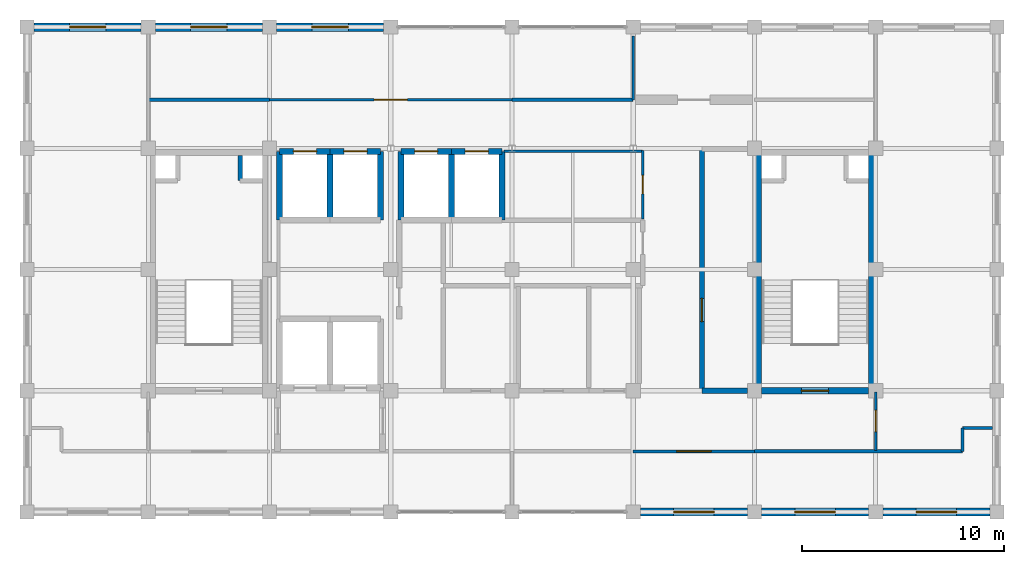
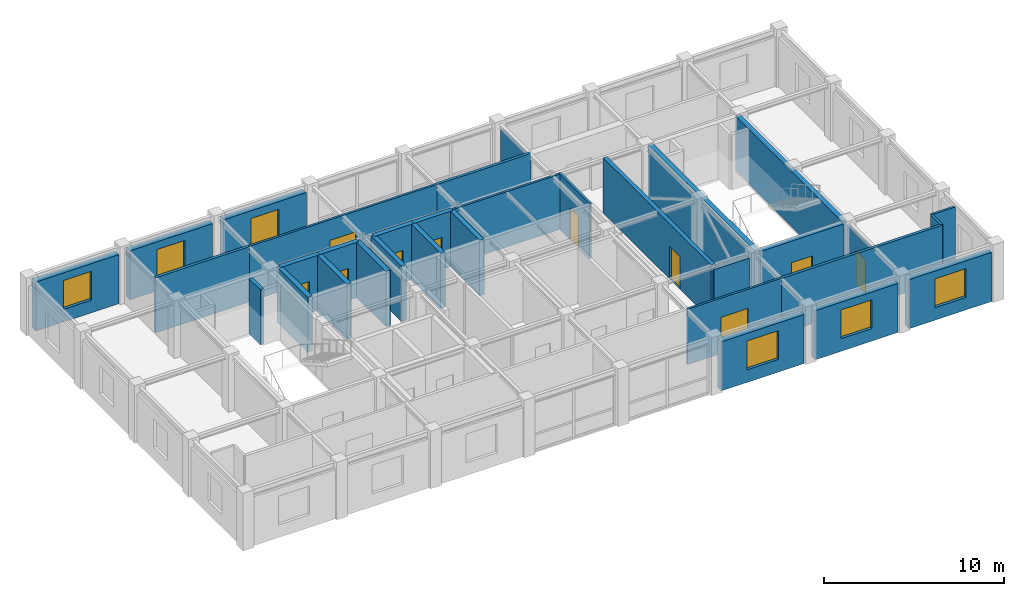
# One storey, part 9 of 11: 33 walls, 10 doors, 6 windows, 16 openings.
"""IFC4 building model written with IfcOpenShell, lengths in metres."""

from ifc_helpers import new_model, si_unit, direction, frame, frame_2d, origin, place, context, subcontext, project, spatial, rectangle, extrude, material, layer, layer_set, type_object, element, fill, save


model = new_model("IFC4")

# Units and contexts
model_context = context("Model", 3, precision=1e-05, world=origin(), true_north=direction((0.0, 1.0)))
body_context = subcontext(model_context, "Body", "Model", "MODEL_VIEW")
ifc_project = project(units=[si_unit("LENGTHUNIT", "METRE"), si_unit("AREAUNIT", "SQUARE_METRE"), si_unit("VOLUMEUNIT", "CUBIC_METRE"), si_unit("PLANEANGLEUNIT", "RADIAN"), si_unit("MASSUNIT", "GRAM", prefix="KILO")], contexts=[model_context])

# Site, building, storey
site_placement = place(None, origin())
site = spatial("IfcSite", under=ifc_project, at=site_placement, CompositionType="ELEMENT")
building_placement = place(site_placement, origin())
building = spatial("IfcBuilding", under=site, at=building_placement, Name="Zlatovratsky Civic Hall", CompositionType="ELEMENT")
storey_placement = place(building_placement, frame((0.0, 0.0, 56.10009765625)))
storey = spatial("IfcBuildingStorey", under=building, at=storey_placement, Name="L14", CompositionType="ELEMENT", Elevation=56.10009765625)

# Walls
ifc_material_1 = material(Name="Acoustic ceramic blockwork", Category="masonry")
ifc_layer_1 = layer(ifc_material_1, 0.179931640625)
ifc_layer_set_1 = layer_set([ifc_layer_1], Name="Acoustic ceramic blockwork")
wall_type_1 = type_object("IfcWallType", Name="Wall_AcousticChamberPartition_180", PredefinedType="PARTITIONING", material=ifc_layer_set_1)
wall_1_placement = place(storey_placement, frame((96.0, 81.0, 0.0), z_axis=(0.0, 0.0, 1.0), x_axis=(1.0, 0.0, 0.0)))
element("IfcWall", 1, at=wall_1_placement, inside=storey, type_object=wall_type_1, Name="WL-6676", PredefinedType="PARTITIONING", context=body_context, shape_type="SweptSolid", body=[
    extrude(rectangle(XDim=10.300048828125, YDim=0.179931640625, at=frame_2d((5.14990234375, 0.0))), origin(), (0.0, 0.0, 1.0), 3.739990234375),
])
for number, where, z_axis, x_axis, name in (
    (2, (66.0, 98.39990234375, 0.0), (0.0, 0.0, 1.0), (1.0, 0.0, 0.0), "WL-6681"),
    (3, (84.0, 98.39990234375, 0.0), (0.0, 0.0, 1.0), (1.0, 0.0, 0.0), "WL-6682"),
):
    element("IfcWall", number, at=place(storey_placement, frame(where, z_axis=z_axis, x_axis=x_axis)), inside=storey, type_object=wall_type_1, Name=name, PredefinedType="PARTITIONING", context=body_context, shape_type="SweptSolid", body=[
        extrude(rectangle(XDim=6.0, YDim=0.179931640625, at=frame_2d((3.0, 0.0))), origin(), (0.0, 0.0, 1.0), 3.739990234375),
    ])

# Wall, opening, door
ifc_layer_2 = layer(ifc_material_1, 0.260009765625)
ifc_layer_set_2 = layer_set([ifc_layer_2], Name="Acoustic ceramic blockwork")
wall_type_2 = type_object("IfcWallType", Name="Wall_ArchiveCompartment_260", PredefinedType="PARTITIONING", material=ifc_layer_set_2)
wall_2_placement = place(storey_placement, frame((93.39990234375, 84.0, 0.0), z_axis=(0.0, 0.0, 1.0), x_axis=(0.0, 1.0, 0.0)))
wall_2 = element("IfcWall", 4, at=wall_2_placement, inside=storey, type_object=wall_type_2, Name="WL-6646", PredefinedType="PARTITIONING", context=body_context, shape_type="SweptSolid", body=[
    extrude(rectangle(XDim=11.9599609375, YDim=0.260009765625, at=frame_2d((5.97998046875, 0.0))), origin(), (0.0, 0.0, 1.0), 3.739990234375),
])
opening_1_placement = place(wall_2_placement, frame((3.425048828125, 0.0, 0.0)))
opening_1 = element("IfcOpeningElement", 5, at=opening_1_placement, cuts=wall_2, Name="Opening D-31", PredefinedType="OPENING", context=body_context, shape_type="SweptSolid", body=[
    extrude(rectangle(XDim=1.14990234375, YDim=2.199951171875, at=frame_2d((0.574951171875, 1.10009765625))), frame((0.0, 0.14501953125, 0.0), z_axis=(0.0, -1.0, 0.0), x_axis=(1.0, 0.0, 0.0)), (0.0, 0.0, 1.0), 0.289794921875),
])
ifc_material_2 = material(Name="Insulated painted fire-rated steel leaf", Category="steel")
door_type_1 = type_object("IfcDoorType", Name="Door_RecordsVault_1150x2200", OperationType="NOTDEFINED", PredefinedType="DOOR", material=ifc_material_2)
door_1_placement = place(opening_1_placement, origin())
door_1 = element("IfcDoor", 6, at=door_1_placement, inside=storey, type_object=door_type_1, Name="DR-5500", OperationType="SINGLE_SWING_LEFT", OverallHeight=2.199951171875, OverallWidth=1.14990234375, PredefinedType="DOOR", context=body_context, shape_type="SweptSolid", body=[
    extrude(rectangle(XDim=1.14990234375, YDim=2.199951171875, at=frame_2d((0.574951171875, 1.10009765625))), frame((0.0, 0.02490234375, 0.0), z_axis=(0.0, -1.0, 0.0), x_axis=(1.0, 0.0, 0.0)), (0.0, 0.0, 1.0), 0.050048828125),
])
fill(opening_1, door_1)

# Wall
wall_3_placement = place(storey_placement, frame((93.39990234375, 84.0, 0.0), z_axis=(0.0, 0.0, 1.0), x_axis=(1.0, 0.0, 0.0)))
element("IfcWall", 7, at=wall_3_placement, inside=storey, type_object=wall_type_2, Name="WL-6647", PredefinedType="PARTITIONING", context=body_context, shape_type="SweptSolid", body=[
    extrude(rectangle(XDim=2.25, YDim=0.260009765625, at=frame_2d((1.125, 0.0))), origin(), (0.0, 0.0, 1.0), 3.448974609375),
])

# Wall, opening, door
ifc_material_3 = material(Name="Fire-rated gypsum board framing", Category="gypsum")
ifc_layer_3 = layer(ifc_material_3, 0.139892578125)
ifc_layer_set_3 = layer_set([ifc_layer_3], Name="Fire-rated gypsum board framing")
wall_type_3 = type_object("IfcWallType", Name="Wall_OfficePartition_140", PredefinedType="PARTITIONING", material=ifc_layer_set_3)
wall_4_placement = place(storey_placement, frame((90.0, 81.0, 0.0), z_axis=(0.0, 0.0, 1.0), x_axis=(1.0, 0.0, 0.0)))
wall_4 = element("IfcWall", 8, at=wall_4_placement, inside=storey, type_object=wall_type_3, Name="WL-6659", PredefinedType="PARTITIONING", context=body_context, shape_type="SweptSolid", body=[
    extrude(rectangle(XDim=6.0, YDim=0.139892578125, at=frame_2d((3.0, 0.0))), origin(), (0.0, 0.0, 1.0), 3.739990234375),
])
opening_2_placement = place(wall_4_placement, frame((2.14990234375, 0.0, 0.0)))
opening_2 = element("IfcOpeningElement", 9, at=opening_2_placement, cuts=wall_4, Name="Opening D-26", PredefinedType="OPENING", context=body_context, shape_type="SweptSolid", body=[
    extrude(rectangle(XDim=1.699951171875, YDim=2.449951171875, at=frame_2d((0.85009765625, 1.22509765625))), frame((0.0, 0.0849609375, 0.0), z_axis=(0.0, -1.0, 0.0), x_axis=(1.0, 0.0, 0.0)), (0.0, 0.0, 1.0), 0.169677734375),
])
ifc_material_4 = material(Name="Solid oak joinery in steel frame", Category="steel")
door_type_2 = type_object("IfcDoorType", Name="Door_CommissionBoardroom_1700x2450", OperationType="DOUBLE_DOOR_SINGLE_SWING", PredefinedType="DOOR", material=ifc_material_4)
door_2_placement = place(opening_2_placement, origin())
door_2 = element("IfcDoor", 10, at=door_2_placement, inside=storey, type_object=door_type_2, Name="DR-5508", OperationType="DOUBLE_DOOR_SINGLE_SWING", OverallHeight=2.449951171875, OverallWidth=1.699951171875, PredefinedType="DOOR", context=body_context, shape_type="SweptSolid", body=[
    extrude(rectangle(XDim=1.699951171875, YDim=2.449951171875, at=frame_2d((0.85009765625, 1.22509765625))), frame((0.0, 0.02490234375, 0.0), z_axis=(0.0, -1.0, 0.0), x_axis=(1.0, 0.0, 0.0)), (0.0, 0.0, 1.0), 0.050048828125),
])
fill(opening_2, door_2)

wall_5_placement = place(storey_placement, frame((102.0, 81.050048828125, 0.0), z_axis=(0.0, 0.0, 1.0), x_axis=(0.0, 1.0, 0.0)))
wall_5 = element("IfcWall", 11, at=wall_5_placement, inside=storey, type_object=wall_type_3, Name="WL-6661", PredefinedType="PARTITIONING", context=body_context, shape_type="SweptSolid", body=[
    extrude(rectangle(XDim=2.89990234375, YDim=0.139892578125, at=frame_2d((1.449951171875, 0.0))), origin(), (0.0, 0.0, 1.0), 3.448974609375),
])
opening_3_placement = place(wall_5_placement, frame((0.925048828125, 0.0, 0.0)))
opening_3 = element("IfcOpeningElement", 12, at=opening_3_placement, cuts=wall_5, Name="Opening D-24", PredefinedType="OPENING", context=body_context, shape_type="SweptSolid", body=[
    extrude(rectangle(XDim=1.050048828125, YDim=2.25, at=frame_2d((0.52490234375, 1.125))), frame((0.0, 0.0849609375, 0.0), z_axis=(0.0, -1.0, 0.0), x_axis=(1.0, 0.0, 0.0)), (0.0, 0.0, 1.0), 0.169677734375),
])
door_type_3 = type_object("IfcDoorType", Name="Door_DirectorateOffice_1050x2250", OperationType="NOTDEFINED", PredefinedType="DOOR", material=ifc_material_4)
door_3_placement = place(opening_3_placement, origin())
door_3 = element("IfcDoor", 13, at=door_3_placement, inside=storey, type_object=door_type_3, Name="DR-5510", OperationType="SINGLE_SWING_RIGHT", OverallHeight=2.25, OverallWidth=1.050048828125, PredefinedType="DOOR", context=body_context, shape_type="SweptSolid", body=[
    extrude(rectangle(XDim=1.050048828125, YDim=2.25, at=frame_2d((0.52490234375, 1.125))), frame((0.0, 0.02490234375, 0.0), z_axis=(0.0, -1.0, 0.0), x_axis=(1.0, 0.0, 0.0)), (0.0, 0.0, 1.0), 0.050048828125),
])
fill(opening_3, door_3)

wall_6_placement = place(storey_placement, frame((72.0, 98.39990234375, 0.0), z_axis=(0.0, 0.0, 1.0), x_axis=(1.0, 0.0, 0.0)))
wall_6 = element("IfcWall", 14, at=wall_6_placement, inside=storey, type_object=wall_type_3, Name="WL-6662", PredefinedType="PARTITIONING", context=body_context, shape_type="SweptSolid", body=[
    extrude(rectangle(XDim=12.0, YDim=0.139892578125, at=frame_2d((6.0, 0.0))), origin(), (0.0, 0.0, 1.0), 3.739990234375),
])
opening_4_placement = place(wall_6_placement, frame((5.175048828125, 0.0, 0.0)))
opening_4 = element("IfcOpeningElement", 15, at=opening_4_placement, cuts=wall_6, Name="Opening D-25", PredefinedType="OPENING", context=body_context, shape_type="SweptSolid", body=[
    extrude(rectangle(XDim=1.64990234375, YDim=2.35009765625, at=frame_2d((0.824951171875, 1.175048828125))), frame((0.0, 0.0849609375, 0.0), z_axis=(0.0, -1.0, 0.0), x_axis=(1.0, 0.0, 0.0)), (0.0, 0.0, 1.0), 0.169677734375),
])
door_type_4 = type_object("IfcDoorType", Name="Door_OpenStudioDouble_1650x2350", OperationType="DOUBLE_DOOR_SINGLE_SWING", PredefinedType="DOOR", material=ifc_material_4)
door_4_placement = place(opening_4_placement, origin())
door_4 = element("IfcDoor", 16, at=door_4_placement, inside=storey, type_object=door_type_4, Name="DR-5511", OperationType="DOUBLE_DOOR_SINGLE_SWING", OverallHeight=2.35009765625, OverallWidth=1.64990234375, PredefinedType="DOOR", context=body_context, shape_type="SweptSolid", body=[
    extrude(rectangle(XDim=1.64990234375, YDim=2.35009765625, at=frame_2d((0.824951171875, 1.175048828125))), frame((0.0, 0.02490234375, 0.0), z_axis=(0.0, -1.0, 0.0), x_axis=(1.0, 0.0, 0.0)), (0.0, 0.0, 1.0), 0.050048828125),
])
fill(opening_4, door_4)

wall_7_placement = place(storey_placement, frame((90.469970703125, 92.5, 0.0), z_axis=(0.0, 0.0, 1.0), x_axis=(0.0, 1.0, 0.0)))
wall_7 = element("IfcWall", 17, at=wall_7_placement, inside=storey, type_object=wall_type_3, Name="WL-6665", PredefinedType="PARTITIONING", context=body_context, shape_type="SweptSolid", body=[
    extrude(rectangle(XDim=3.39990234375, YDim=0.139892578125, at=frame_2d((1.699951171875, 0.0))), origin(), (0.0, 0.0, 1.0), 3.739990234375),
])
opening_5_placement = place(wall_7_placement, frame((1.239990234375, 0.0, 0.0)))
opening_5 = element("IfcOpeningElement", 18, at=opening_5_placement, cuts=wall_7, Name="Opening D-23", PredefinedType="OPENING", context=body_context, shape_type="SweptSolid", body=[
    extrude(rectangle(XDim=0.919921875, YDim=2.14990234375, at=frame_2d((0.4599609375, 1.074951171875))), frame((0.0, 0.0849609375, 0.0), z_axis=(0.0, -1.0, 0.0), x_axis=(1.0, 0.0, 0.0)), (0.0, 0.0, 1.0), 0.169677734375),
])
door_type_5 = type_object("IfcDoorType", Name="Door_OfficeStandard_920x2150", OperationType="NOTDEFINED", PredefinedType="DOOR", material=ifc_material_4)
door_5_placement = place(opening_5_placement, origin())
door_5 = element("IfcDoor", 19, at=door_5_placement, inside=storey, type_object=door_type_5, Name="DR-5514", OperationType="SINGLE_SWING_LEFT", OverallHeight=2.14990234375, OverallWidth=0.919921875, PredefinedType="DOOR", context=body_context, shape_type="SweptSolid", body=[
    extrude(rectangle(XDim=0.919921875, YDim=2.14990234375, at=frame_2d((0.4599609375, 1.074951171875))), frame((0.0, 0.02490234375, 0.0), z_axis=(0.0, -1.0, 0.0), x_axis=(1.0, 0.0, 0.0)), (0.0, 0.0, 1.0), 0.050048828125),
])
fill(opening_5, door_5)

# Walls
wall_8_placement = place(storey_placement, frame((90.0, 98.39990234375, 0.0), z_axis=(0.0, 0.0, 1.0), x_axis=(0.0, 1.0, 0.0)))
element("IfcWall", 20, at=wall_8_placement, inside=storey, type_object=wall_type_3, Name="WL-6667", PredefinedType="PARTITIONING", context=body_context, shape_type="SweptSolid", body=[
    extrude(rectangle(XDim=3.150146484375, YDim=0.139892578125, at=frame_2d((1.5751953125, 0.0))), origin(), (0.0, 0.0, 1.0), 3.448974609375),
])
wall_9_placement = place(storey_placement, frame((83.60009765625, 95.85009765625, 0.0), z_axis=(0.0, 0.0, 1.0), x_axis=(1.0, 0.0, 0.0)))
element("IfcWall", 21, at=wall_9_placement, inside=storey, type_object=wall_type_3, Name="WL-6669", PredefinedType="PARTITIONING", context=body_context, shape_type="SweptSolid", body=[
    extrude(rectangle(XDim=6.869873046875, YDim=0.139892578125, at=frame_2d((3.43505859375, 0.0))), origin(), (0.0, 0.0, 1.0), 3.739990234375),
])
wall_10_placement = place(storey_placement, frame((106.300048828125, 81.0, 0.0), z_axis=(0.0, 0.0, 1.0), x_axis=(0.0, 1.0, 0.0)))
element("IfcWall", 22, at=wall_10_placement, inside=storey, type_object=wall_type_3, Name="WL-6679", PredefinedType="PARTITIONING", context=body_context, shape_type="SweptSolid", body=[
    extrude(rectangle(XDim=1.14990234375, YDim=0.139892578125, at=frame_2d((0.574951171875, 0.0))), origin(), (0.0, 0.0, 1.0), 3.739990234375),
])
wall_11_placement = place(storey_placement, frame((106.300048828125, 82.14990234375, 0.0), z_axis=(0.0, 0.0, 1.0), x_axis=(1.0, 0.0, 0.0)))
element("IfcWall", 23, at=wall_11_placement, inside=storey, type_object=wall_type_3, Name="WL-6680", PredefinedType="PARTITIONING", context=body_context, shape_type="SweptSolid", body=[
    extrude(rectangle(XDim=1.489990234375, YDim=0.139892578125, at=frame_2d((0.7451171875, 0.0))), origin(), (0.0, 0.0, 1.0), 3.739990234375),
])
ifc_layer_4 = layer(ifc_material_1, 0.219970703125)
ifc_layer_set_4 = layer_set([ifc_layer_4], Name="Acoustic ceramic blockwork")
wall_type_4 = type_object("IfcWallType", Name="Wall_SanitaryWetCore_220", PredefinedType="PARTITIONING", material=ifc_layer_set_4)
wall_12_placement = place(storey_placement, frame((70.550048828125, 94.39990234375, 0.0), z_axis=(0.0, 0.0, 1.0), x_axis=(0.0, 1.0, 0.0)))
element("IfcWall", 24, at=wall_12_placement, inside=storey, type_object=wall_type_4, Name="WL-5119", PredefinedType="PARTITIONING", context=body_context, shape_type="SweptSolid", body=[
    extrude(rectangle(XDim=1.25, YDim=0.219970703125, at=frame_2d((0.625, 0.0))), origin(), (0.0, 0.0, 1.0), 3.739990234375),
])

# Wall, opening, door
ifc_material_5 = material(Name="Concrete C35/45 (B40)", Category="concrete")
ifc_layer_5 = layer(ifc_material_5, 0.300048828125)
ifc_layer_set_5 = layer_set([ifc_layer_5], Name="Concrete C35/45 (B40)")
wall_type_5 = type_object("IfcWallType", Name="Wall_StairAndLiftShaft_300", PredefinedType="SHEAR", material=ifc_layer_set_5)
wall_13_placement = place(storey_placement, frame((96.35009765625, 84.0, 0.0), z_axis=(0.0, 0.0, 1.0), x_axis=(1.0, 0.0, 0.0)))
wall_13 = element("IfcWall", 25, at=wall_13_placement, inside=storey, type_object=wall_type_5, Name="WL-5271", PredefinedType="SHEAR", context=body_context, shape_type="SweptSolid", body=[
    extrude(rectangle(XDim=5.2998046875, YDim=0.300048828125, at=frame_2d((2.64990234375, 0.0))), origin(), (0.0, 0.0, 1.0), 3.659912109375),
])
opening_6_placement = place(wall_13_placement, frame((1.97509765625, 0.0, 0.0)))
opening_6 = element("IfcOpeningElement", 26, at=opening_6_placement, cuts=wall_13, Name="Opening D-17", PredefinedType="OPENING", context=body_context, shape_type="SweptSolid", body=[
    extrude(rectangle(XDim=1.35009765625, YDim=2.199951171875, at=frame_2d((0.675048828125, 1.10009765625))), frame((0.0, 0.1650390625, 0.0), z_axis=(0.0, -1.0, 0.0), x_axis=(1.0, 0.0, 0.0)), (0.0, 0.0, 1.0), 0.329833984375),
])
door_type_6 = type_object("IfcDoorType", Name="Door_StairwellFireTower_1350x2200", OperationType="NOTDEFINED", PredefinedType="DOOR", material=ifc_material_2)
door_6_placement = place(opening_6_placement, origin())
door_6 = element("IfcDoor", 27, at=door_6_placement, inside=storey, type_object=door_type_6, Name="DR-5034", OperationType="SINGLE_SWING_LEFT", OverallHeight=2.199951171875, OverallWidth=1.35009765625, PredefinedType="DOOR", context=body_context, shape_type="SweptSolid", body=[
    extrude(rectangle(XDim=1.35009765625, YDim=2.199951171875, at=frame_2d((0.675048828125, 1.10009765625))), frame((0.0, 0.02490234375, 0.0), z_axis=(0.0, -1.0, 0.0), x_axis=(1.0, 0.0, 0.0)), (0.0, 0.0, 1.0), 0.050048828125),
])
fill(opening_6, door_6)

# Walls
for number, where, z_axis, x_axis, name in (
    (28, (96.199951171875, 84.0, 0.0), (0.0, 0.0, 1.0), (0.0, 1.0, 0.0), "WL-5273"),
    (29, (101.800048828125, 84.0, 0.0), (0.0, 0.0, 1.0), (0.0, 1.0, 0.0), "WL-5274"),
):
    element("IfcWall", number, at=place(storey_placement, frame(where, z_axis=z_axis, x_axis=x_axis)), inside=storey, type_object=wall_type_5, Name=name, PredefinedType="SHEAR", context=body_context, shape_type="SweptSolid", body=[
        extrude(rectangle(XDim=11.800048828125, YDim=0.300048828125, at=frame_2d((5.89990234375, 0.0))), origin(), (0.0, 0.0, 1.0), 3.739990234375),
    ])

# Wall, opening, door
wall_14_placement = place(storey_placement, frame((72.5, 95.85009765625, 0.0), z_axis=(0.0, 0.0, 1.0), x_axis=(1.0, 0.0, 0.0)))
wall_14 = element("IfcWall", 30, at=wall_14_placement, inside=storey, type_object=wall_type_5, Name="WL-5668", PredefinedType="SHEAR", context=body_context, shape_type="SweptSolid", body=[
    extrude(rectangle(XDim=2.5, YDim=0.300048828125, at=frame_2d((1.25, 0.0))), origin(), (0.0, 0.0, 1.0), 3.739990234375),
])
opening_7_placement = place(wall_14_placement, frame((0.675048828125, 0.0, 0.0)))
opening_7 = element("IfcOpeningElement", 31, at=opening_7_placement, cuts=wall_14, Name="Opening LD-02", PredefinedType="OPENING", context=body_context, shape_type="SweptSolid", body=[
    extrude(rectangle(XDim=1.14990234375, YDim=2.14990234375, at=frame_2d((0.574951171875, 1.074951171875))), frame((0.0, 0.1650390625, 0.0), z_axis=(0.0, -1.0, 0.0), x_axis=(1.0, 0.0, 0.0)), (0.0, 0.0, 1.0), 0.329833984375),
])
ifc_material_6 = material(Name="Brushed stainless steel AISI 304", Category="steel")
door_type_7 = type_object("IfcDoorType", Name="Door_LiftLandingHighRise_1150x2150", OperationType="DOUBLE_DOOR_SLIDING", PredefinedType="DOOR", material=ifc_material_6)
door_7_placement = place(opening_7_placement, origin())
door_7 = element("IfcDoor", 32, at=door_7_placement, inside=storey, type_object=door_type_7, Name="Lift landing door LD-5111", OperationType="DOUBLE_DOOR_SLIDING", OverallHeight=2.14990234375, OverallWidth=1.14990234375, PredefinedType="DOOR", context=body_context, shape_type="SweptSolid", body=[
    extrude(rectangle(XDim=1.14990234375, YDim=2.14990234375, at=frame_2d((0.574951171875, 1.074951171875))), frame((0.0, 0.02490234375, 0.0), z_axis=(0.0, -1.0, 0.0), x_axis=(1.0, 0.0, 0.0)), (0.0, 0.0, 1.0), 0.050048828125),
])
fill(opening_7, door_7)

# Wall
wall_15_placement = place(storey_placement, frame((72.5, 92.449951171875, 0.0), z_axis=(0.0, 0.0, 1.0), x_axis=(0.0, 1.0, 0.0)))
element("IfcWall", 33, at=wall_15_placement, inside=storey, type_object=wall_type_5, Name="WL-5670", PredefinedType="SHEAR", context=body_context, shape_type="SweptSolid", body=[
    extrude(rectangle(XDim=3.400146484375, YDim=0.300048828125, at=frame_2d((1.7001953125, 0.0))), origin(), (0.0, 0.0, 1.0), 3.739990234375),
])

# Wall, opening, door
wall_16_placement = place(storey_placement, frame((75.0, 95.85009765625, 0.0), z_axis=(0.0, 0.0, 1.0), x_axis=(1.0, 0.0, 0.0)))
wall_16 = element("IfcWall", 34, at=wall_16_placement, inside=storey, type_object=wall_type_5, Name="WL-5739", PredefinedType="SHEAR", context=body_context, shape_type="SweptSolid", body=[
    extrude(rectangle(XDim=2.5, YDim=0.300048828125, at=frame_2d((1.25, 0.0))), origin(), (0.0, 0.0, 1.0), 3.739990234375),
])
opening_8_placement = place(wall_16_placement, frame((0.675048828125, 0.0, 0.0)))
opening_8 = element("IfcOpeningElement", 35, at=opening_8_placement, cuts=wall_16, Name="Opening LD-02", PredefinedType="OPENING", context=body_context, shape_type="SweptSolid", body=[
    extrude(rectangle(XDim=1.14990234375, YDim=2.14990234375, at=frame_2d((0.574951171875, 1.074951171875))), frame((0.0, 0.1650390625, 0.0), z_axis=(0.0, -1.0, 0.0), x_axis=(1.0, 0.0, 0.0)), (0.0, 0.0, 1.0), 0.329833984375),
])
door_8_placement = place(opening_8_placement, origin())
door_8 = element("IfcDoor", 36, at=door_8_placement, inside=storey, type_object=door_type_7, Name="Lift landing door LD-5130", OperationType="DOUBLE_DOOR_SLIDING", OverallHeight=2.14990234375, OverallWidth=1.14990234375, PredefinedType="DOOR", context=body_context, shape_type="SweptSolid", body=[
    extrude(rectangle(XDim=1.14990234375, YDim=2.14990234375, at=frame_2d((0.574951171875, 1.074951171875))), frame((0.0, 0.02490234375, 0.0), z_axis=(0.0, -1.0, 0.0), x_axis=(1.0, 0.0, 0.0)), (0.0, 0.0, 1.0), 0.050048828125),
])
fill(opening_8, door_8)

# Walls
for number, where, z_axis, x_axis, name in (
    (37, (75.0, 92.449951171875, 0.0), (0.0, 0.0, 1.0), (0.0, 1.0, 0.0), "WL-5741"),
    (38, (77.5, 92.449951171875, 0.0), (0.0, 0.0, 1.0), (0.0, 1.0, 0.0), "WL-5742"),
):
    element("IfcWall", number, at=place(storey_placement, frame(where, z_axis=z_axis, x_axis=x_axis)), inside=storey, type_object=wall_type_5, Name=name, PredefinedType="SHEAR", context=body_context, shape_type="SweptSolid", body=[
        extrude(rectangle(XDim=3.400146484375, YDim=0.300048828125, at=frame_2d((1.7001953125, 0.0))), origin(), (0.0, 0.0, 1.0), 3.739990234375),
    ])

# Wall, opening, door
wall_17_placement = place(storey_placement, frame((78.5, 95.85009765625, 0.0), z_axis=(0.0, 0.0, 1.0), x_axis=(1.0, 0.0, 0.0)))
wall_17 = element("IfcWall", 39, at=wall_17_placement, inside=storey, type_object=wall_type_5, Name="WL-5801", PredefinedType="SHEAR", context=body_context, shape_type="SweptSolid", body=[
    extrude(rectangle(XDim=2.5, YDim=0.300048828125, at=frame_2d((1.25, 0.0))), origin(), (0.0, 0.0, 1.0), 3.739990234375),
])
opening_9_placement = place(wall_17_placement, frame((0.675048828125, 0.0, 0.0)))
opening_9 = element("IfcOpeningElement", 40, at=opening_9_placement, cuts=wall_17, Name="Opening LD-02", PredefinedType="OPENING", context=body_context, shape_type="SweptSolid", body=[
    extrude(rectangle(XDim=1.14990234375, YDim=2.14990234375, at=frame_2d((0.574951171875, 1.074951171875))), frame((0.0, 0.1650390625, 0.0), z_axis=(0.0, -1.0, 0.0), x_axis=(1.0, 0.0, 0.0)), (0.0, 0.0, 1.0), 0.329833984375),
])
door_9_placement = place(opening_9_placement, origin())
door_9 = element("IfcDoor", 41, at=door_9_placement, inside=storey, type_object=door_type_7, Name="Lift landing door LD-5149", OperationType="DOUBLE_DOOR_SLIDING", OverallHeight=2.14990234375, OverallWidth=1.14990234375, PredefinedType="DOOR", context=body_context, shape_type="SweptSolid", body=[
    extrude(rectangle(XDim=1.14990234375, YDim=2.14990234375, at=frame_2d((0.574951171875, 1.074951171875))), frame((0.0, 0.02490234375, 0.0), z_axis=(0.0, -1.0, 0.0), x_axis=(1.0, 0.0, 0.0)), (0.0, 0.0, 1.0), 0.050048828125),
])
fill(opening_9, door_9)

# Wall
wall_18_placement = place(storey_placement, frame((78.5, 92.449951171875, 0.0), z_axis=(0.0, 0.0, 1.0), x_axis=(0.0, 1.0, 0.0)))
element("IfcWall", 42, at=wall_18_placement, inside=storey, type_object=wall_type_5, Name="WL-5803", PredefinedType="SHEAR", context=body_context, shape_type="SweptSolid", body=[
    extrude(rectangle(XDim=3.400146484375, YDim=0.300048828125, at=frame_2d((1.7001953125, 0.0))), origin(), (0.0, 0.0, 1.0), 3.739990234375),
])

# Wall, opening, door
wall_19_placement = place(storey_placement, frame((81.0, 95.85009765625, 0.0), z_axis=(0.0, 0.0, 1.0), x_axis=(1.0, 0.0, 0.0)))
wall_19 = element("IfcWall", 43, at=wall_19_placement, inside=storey, type_object=wall_type_5, Name="WL-5872", PredefinedType="SHEAR", context=body_context, shape_type="SweptSolid", body=[
    extrude(rectangle(XDim=2.5, YDim=0.300048828125, at=frame_2d((1.25, 0.0))), origin(), (0.0, 0.0, 1.0), 3.739990234375),
])
opening_10_placement = place(wall_19_placement, frame((0.675048828125, 0.0, 0.0)))
opening_10 = element("IfcOpeningElement", 44, at=opening_10_placement, cuts=wall_19, Name="Opening LD-02", PredefinedType="OPENING", context=body_context, shape_type="SweptSolid", body=[
    extrude(rectangle(XDim=1.14990234375, YDim=2.14990234375, at=frame_2d((0.574951171875, 1.074951171875))), frame((0.0, 0.1650390625, 0.0), z_axis=(0.0, -1.0, 0.0), x_axis=(1.0, 0.0, 0.0)), (0.0, 0.0, 1.0), 0.329833984375),
])
door_10_placement = place(opening_10_placement, origin())
door_10 = element("IfcDoor", 45, at=door_10_placement, inside=storey, type_object=door_type_7, Name="Lift landing door LD-5168", OperationType="DOUBLE_DOOR_SLIDING", OverallHeight=2.14990234375, OverallWidth=1.14990234375, PredefinedType="DOOR", context=body_context, shape_type="SweptSolid", body=[
    extrude(rectangle(XDim=1.14990234375, YDim=2.14990234375, at=frame_2d((0.574951171875, 1.074951171875))), frame((0.0, 0.02490234375, 0.0), z_axis=(0.0, -1.0, 0.0), x_axis=(1.0, 0.0, 0.0)), (0.0, 0.0, 1.0), 0.050048828125),
])
fill(opening_10, door_10)

# Walls
for number, where, z_axis, x_axis, name in (
    (46, (81.0, 92.449951171875, 0.0), (0.0, 0.0, 1.0), (0.0, 1.0, 0.0), "WL-5874"),
    (47, (83.5, 92.449951171875, 0.0), (0.0, 0.0, 1.0), (0.0, 1.0, 0.0), "WL-5875"),
):
    element("IfcWall", number, at=place(storey_placement, frame(where, z_axis=z_axis, x_axis=x_axis)), inside=storey, type_object=wall_type_5, Name=name, PredefinedType="SHEAR", context=body_context, shape_type="SweptSolid", body=[
        extrude(rectangle(XDim=3.400146484375, YDim=0.300048828125, at=frame_2d((1.7001953125, 0.0))), origin(), (0.0, 0.0, 1.0), 3.739990234375),
    ])

# Wall, opening, window
ifc_layer_6 = layer(ifc_material_1, 0.280029296875, Name="Backing")
ifc_material_7 = material(Name="Podolsk limestone ashlar", Category="masonry")
ifc_layer_7 = layer(ifc_material_7, 0.139892578125, Name="Finish")
ifc_layer_set_6 = layer_set([ifc_layer_6, ifc_layer_7], Name="Acoustic ceramic blockwork")
wall_type_6 = type_object("IfcWallType", Name="Wall_TowerLimestoneAshlar_420", PredefinedType="SOLIDWALL", material=ifc_layer_set_6)
wall_20_placement = place(storey_placement, frame((90.35009765625, 78.0, 0.0), z_axis=(0.0, 0.0, 1.0), x_axis=(1.0, 0.0, 0.0)))
wall_20 = element("IfcWall", 48, at=wall_20_placement, inside=storey, type_object=wall_type_6, Name="WL-0612", PredefinedType="SOLIDWALL", context=body_context, shape_type="SweptSolid", body=[
    extrude(rectangle(XDim=5.2998046875, YDim=0.419921875, at=frame_2d((2.64990234375, 0.0))), origin(), (0.0, 0.0, 1.0), 3.31982421875),
])
opening_11_placement = place(wall_20_placement, frame((1.64990234375, 0.0, 0.85009765625)))
opening_11 = element("IfcOpeningElement", 49, at=opening_11_placement, cuts=wall_20, Name="Opening WN-20", PredefinedType="OPENING", context=body_context, shape_type="SweptSolid", body=[
    extrude(rectangle(XDim=2.0, YDim=1.949951171875, at=frame_2d((1.0, 0.97509765625))), frame((0.0, 0.224853515625, 0.0), z_axis=(0.0, -1.0, 0.0), x_axis=(1.0, 0.0, 0.0)), (0.0, 0.0, 1.0), 0.44970703125),
])
ifc_material_8 = material(Name="Low-E laminated double glazing", Category="glass")
window_type_1 = type_object("IfcWindowType", Name="Window_TowerTier3South_2000x1950", PartitioningType="SINGLE_PANEL", PredefinedType="WINDOW", material=ifc_material_8)
window_1_placement = place(opening_11_placement, origin())
window_1 = element("IfcWindow", 50, at=window_1_placement, inside=storey, type_object=window_type_1, Name="WN-0484", OverallHeight=1.949951171875, OverallWidth=2.0, PartitioningType="SINGLE_PANEL", PredefinedType="WINDOW", context=body_context, shape_type="SweptSolid", body=[
    extrude(rectangle(XDim=2.0, YDim=1.949951171875, at=frame_2d((1.0, 0.97509765625))), frame((0.0, 0.030029296875, 0.0), z_axis=(0.0, -1.0, 0.0), x_axis=(1.0, 0.0, 0.0)), (0.0, 0.0, 1.0), 0.06005859375),
])
fill(opening_11, window_1)

wall_21_placement = place(storey_placement, frame((96.35009765625, 78.0, 0.0), z_axis=(0.0, 0.0, 1.0), x_axis=(1.0, 0.0, 0.0)))
wall_21 = element("IfcWall", 51, at=wall_21_placement, inside=storey, type_object=wall_type_6, Name="WL-0613", PredefinedType="SOLIDWALL", context=body_context, shape_type="SweptSolid", body=[
    extrude(rectangle(XDim=5.2998046875, YDim=0.419921875, at=frame_2d((2.64990234375, 0.0))), origin(), (0.0, 0.0, 1.0), 3.31982421875),
])
opening_12_placement = place(wall_21_placement, frame((1.64990234375, 0.0, 0.85009765625)))
opening_12 = element("IfcOpeningElement", 52, at=opening_12_placement, cuts=wall_21, Name="Opening WN-20", PredefinedType="OPENING", context=body_context, shape_type="SweptSolid", body=[
    extrude(rectangle(XDim=2.0, YDim=1.949951171875, at=frame_2d((1.0, 0.97509765625))), frame((0.0, 0.224853515625, 0.0), z_axis=(0.0, -1.0, 0.0), x_axis=(1.0, 0.0, 0.0)), (0.0, 0.0, 1.0), 0.44970703125),
])
window_2_placement = place(opening_12_placement, origin())
window_2 = element("IfcWindow", 53, at=window_2_placement, inside=storey, type_object=window_type_1, Name="WN-0485", OverallHeight=1.949951171875, OverallWidth=2.0, PartitioningType="SINGLE_PANEL", PredefinedType="WINDOW", context=body_context, shape_type="SweptSolid", body=[
    extrude(rectangle(XDim=2.0, YDim=1.949951171875, at=frame_2d((1.0, 0.97509765625))), frame((0.0, 0.030029296875, 0.0), z_axis=(0.0, -1.0, 0.0), x_axis=(1.0, 0.0, 0.0)), (0.0, 0.0, 1.0), 0.06005859375),
])
fill(opening_12, window_2)

wall_22_placement = place(storey_placement, frame((102.35009765625, 78.0, 0.0), z_axis=(0.0, 0.0, 1.0), x_axis=(1.0, 0.0, 0.0)))
wall_22 = element("IfcWall", 54, at=wall_22_placement, inside=storey, type_object=wall_type_6, Name="WL-0614", PredefinedType="SOLIDWALL", context=body_context, shape_type="SweptSolid", body=[
    extrude(rectangle(XDim=5.2998046875, YDim=0.419921875, at=frame_2d((2.64990234375, 0.0))), origin(), (0.0, 0.0, 1.0), 3.31982421875),
])
opening_13_placement = place(wall_22_placement, frame((1.64990234375, 0.0, 0.85009765625)))
opening_13 = element("IfcOpeningElement", 55, at=opening_13_placement, cuts=wall_22, Name="Opening WN-20", PredefinedType="OPENING", context=body_context, shape_type="SweptSolid", body=[
    extrude(rectangle(XDim=2.0, YDim=1.949951171875, at=frame_2d((1.0, 0.97509765625))), frame((0.0, 0.224853515625, 0.0), z_axis=(0.0, -1.0, 0.0), x_axis=(1.0, 0.0, 0.0)), (0.0, 0.0, 1.0), 0.44970703125),
])
window_3_placement = place(opening_13_placement, origin())
window_3 = element("IfcWindow", 56, at=window_3_placement, inside=storey, type_object=window_type_1, Name="WN-0486", OverallHeight=1.949951171875, OverallWidth=2.0, PartitioningType="SINGLE_PANEL", PredefinedType="WINDOW", context=body_context, shape_type="SweptSolid", body=[
    extrude(rectangle(XDim=2.0, YDim=1.949951171875, at=frame_2d((1.0, 0.97509765625))), frame((0.0, 0.030029296875, 0.0), z_axis=(0.0, -1.0, 0.0), x_axis=(1.0, 0.0, 0.0)), (0.0, 0.0, 1.0), 0.06005859375),
])
fill(opening_13, window_3)

wall_23_placement = place(storey_placement, frame((60.35009765625, 102.0, 0.0), z_axis=(0.0, 0.0, 1.0), x_axis=(1.0, 0.0, 0.0)))
wall_23 = element("IfcWall", 57, at=wall_23_placement, inside=storey, type_object=wall_type_6, Name="WL-0615", PredefinedType="SOLIDWALL", context=body_context, shape_type="SweptSolid", body=[
    extrude(rectangle(XDim=5.2998046875, YDim=0.419921875, at=frame_2d((2.64990234375, 0.0))), origin(), (0.0, 0.0, 1.0), 3.31982421875),
])
opening_14_placement = place(wall_23_placement, frame((1.75, 0.0, 0.85009765625)))
opening_14 = element("IfcOpeningElement", 58, at=opening_14_placement, cuts=wall_23, Name="Opening WN-21", PredefinedType="OPENING", context=body_context, shape_type="SweptSolid", body=[
    extrude(rectangle(XDim=1.800048828125, YDim=1.949951171875, at=frame_2d((0.89990234375, 0.97509765625))), frame((0.0, 0.224853515625, 0.0), z_axis=(0.0, -1.0, 0.0), x_axis=(1.0, 0.0, 0.0)), (0.0, 0.0, 1.0), 0.44970703125),
])
window_type_2 = type_object("IfcWindowType", Name="Window_TowerTier3North_1800x1950", PartitioningType="SINGLE_PANEL", PredefinedType="WINDOW", material=ifc_material_8)
window_4_placement = place(opening_14_placement, origin())
window_4 = element("IfcWindow", 59, at=window_4_placement, inside=storey, type_object=window_type_2, Name="WN-0487", OverallHeight=1.949951171875, OverallWidth=1.800048828125, PartitioningType="SINGLE_PANEL", PredefinedType="WINDOW", context=body_context, shape_type="SweptSolid", body=[
    extrude(rectangle(XDim=1.800048828125, YDim=1.949951171875, at=frame_2d((0.89990234375, 0.97509765625))), frame((0.0, 0.030029296875, 0.0), z_axis=(0.0, -1.0, 0.0), x_axis=(1.0, 0.0, 0.0)), (0.0, 0.0, 1.0), 0.06005859375),
])
fill(opening_14, window_4)

wall_24_placement = place(storey_placement, frame((66.35009765625, 102.0, 0.0), z_axis=(0.0, 0.0, 1.0), x_axis=(1.0, 0.0, 0.0)))
wall_24 = element("IfcWall", 60, at=wall_24_placement, inside=storey, type_object=wall_type_6, Name="WL-0616", PredefinedType="SOLIDWALL", context=body_context, shape_type="SweptSolid", body=[
    extrude(rectangle(XDim=5.2998046875, YDim=0.419921875, at=frame_2d((2.64990234375, 0.0))), origin(), (0.0, 0.0, 1.0), 3.31982421875),
])
opening_15_placement = place(wall_24_placement, frame((1.75, 0.0, 0.85009765625)))
opening_15 = element("IfcOpeningElement", 61, at=opening_15_placement, cuts=wall_24, Name="Opening WN-21", PredefinedType="OPENING", context=body_context, shape_type="SweptSolid", body=[
    extrude(rectangle(XDim=1.800048828125, YDim=1.949951171875, at=frame_2d((0.89990234375, 0.97509765625))), frame((0.0, 0.224853515625, 0.0), z_axis=(0.0, -1.0, 0.0), x_axis=(1.0, 0.0, 0.0)), (0.0, 0.0, 1.0), 0.44970703125),
])
window_5_placement = place(opening_15_placement, origin())
window_5 = element("IfcWindow", 62, at=window_5_placement, inside=storey, type_object=window_type_2, Name="WN-0488", OverallHeight=1.949951171875, OverallWidth=1.800048828125, PartitioningType="SINGLE_PANEL", PredefinedType="WINDOW", context=body_context, shape_type="SweptSolid", body=[
    extrude(rectangle(XDim=1.800048828125, YDim=1.949951171875, at=frame_2d((0.89990234375, 0.97509765625))), frame((0.0, 0.030029296875, 0.0), z_axis=(0.0, -1.0, 0.0), x_axis=(1.0, 0.0, 0.0)), (0.0, 0.0, 1.0), 0.06005859375),
])
fill(opening_15, window_5)

wall_25_placement = place(storey_placement, frame((72.35009765625, 102.0, 0.0), z_axis=(0.0, 0.0, 1.0), x_axis=(1.0, 0.0, 0.0)))
wall_25 = element("IfcWall", 63, at=wall_25_placement, inside=storey, type_object=wall_type_6, Name="WL-0617", PredefinedType="SOLIDWALL", context=body_context, shape_type="SweptSolid", body=[
    extrude(rectangle(XDim=5.2998046875, YDim=0.419921875, at=frame_2d((2.64990234375, 0.0))), origin(), (0.0, 0.0, 1.0), 3.31982421875),
])
opening_16_placement = place(wall_25_placement, frame((1.75, 0.0, 0.85009765625)))
opening_16 = element("IfcOpeningElement", 64, at=opening_16_placement, cuts=wall_25, Name="Opening WN-21", PredefinedType="OPENING", context=body_context, shape_type="SweptSolid", body=[
    extrude(rectangle(XDim=1.800048828125, YDim=1.949951171875, at=frame_2d((0.89990234375, 0.97509765625))), frame((0.0, 0.224853515625, 0.0), z_axis=(0.0, -1.0, 0.0), x_axis=(1.0, 0.0, 0.0)), (0.0, 0.0, 1.0), 0.44970703125),
])
window_6_placement = place(opening_16_placement, origin())
window_6 = element("IfcWindow", 65, at=window_6_placement, inside=storey, type_object=window_type_2, Name="WN-0489", OverallHeight=1.949951171875, OverallWidth=1.800048828125, PartitioningType="SINGLE_PANEL", PredefinedType="WINDOW", context=body_context, shape_type="SweptSolid", body=[
    extrude(rectangle(XDim=1.800048828125, YDim=1.949951171875, at=frame_2d((0.89990234375, 0.97509765625))), frame((0.0, 0.030029296875, 0.0), z_axis=(0.0, -1.0, 0.0), x_axis=(1.0, 0.0, 0.0)), (0.0, 0.0, 1.0), 0.06005859375),
])
fill(opening_16, window_6)

save(model, "model.ifc")
